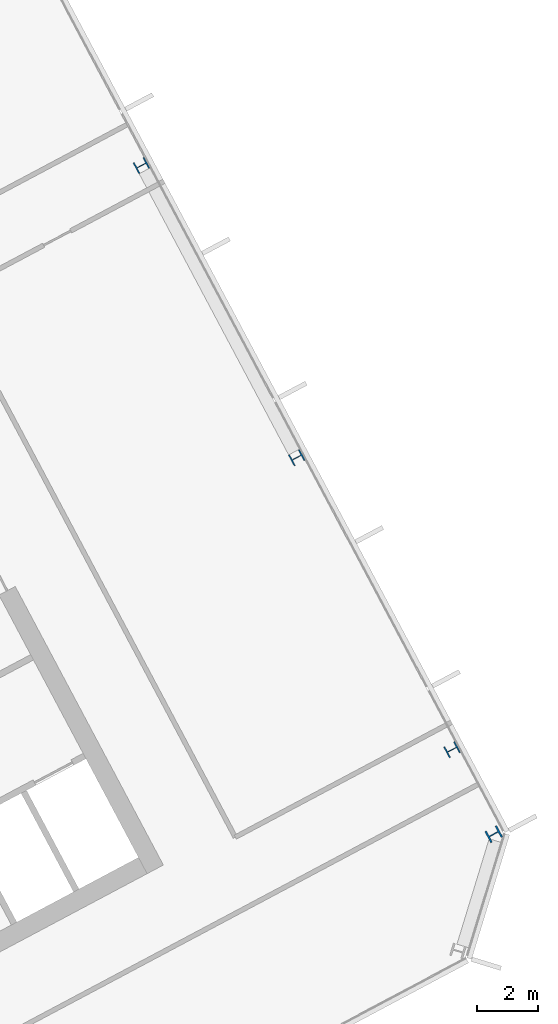
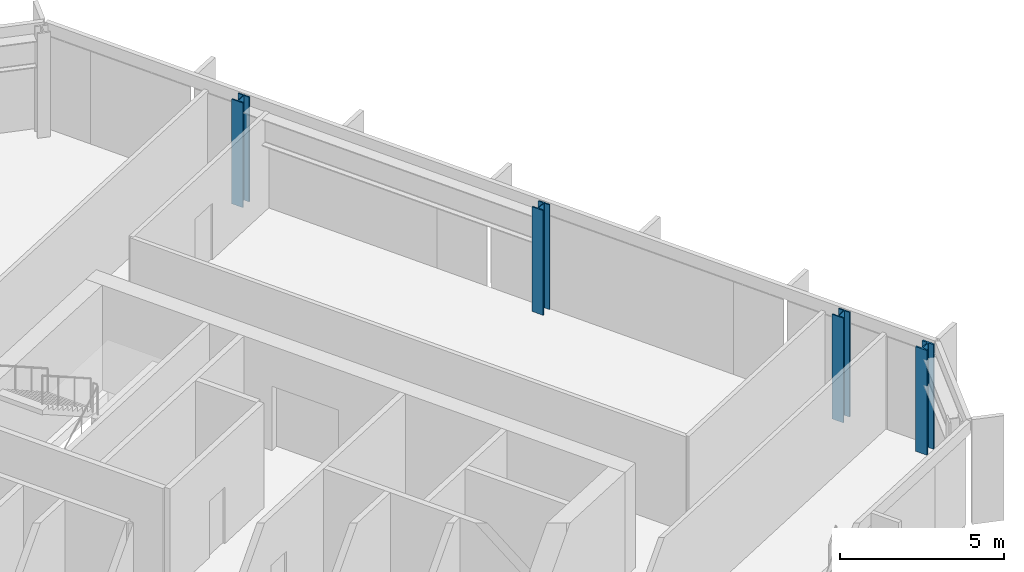
# One storey, part 7 of 27: 4 columns.
"""IFC4 building model written with IfcOpenShell, lengths in metres."""

from ifc_helpers import new_model, si_unit, direction, frame, origin, origin_2d, place, context, subcontext, project, spatial, i_section, extrude, material, material_profile, profile_set, type_object, element, save


model = new_model("IFC4")

# Units and contexts
model_context = context("Model", 3, precision=1e-05, world=origin(), true_north=direction((0.0, 1.0)))
body_context = subcontext(model_context, "Body", "Model", "MODEL_VIEW")
ifc_project = project(units=[si_unit("LENGTHUNIT", "METRE"), si_unit("AREAUNIT", "SQUARE_METRE"), si_unit("VOLUMEUNIT", "CUBIC_METRE"), si_unit("PLANEANGLEUNIT", "RADIAN"), si_unit("MASSUNIT", "GRAM", prefix="KILO")], contexts=[model_context])

# Site, building, storey
site_placement = place(None, origin())
site = spatial("IfcSite", under=ifc_project, at=site_placement, CompositionType="ELEMENT")
building_placement = place(site_placement, origin())
building = spatial("IfcBuilding", under=site, at=building_placement, Name="Cormorant Relay Tower", CompositionType="ELEMENT")
storey_placement = place(building_placement, frame((0.0, 0.0, 232.5)))
storey = spatial("IfcBuildingStorey", under=building, at=storey_placement, Name="L51", CompositionType="ELEMENT", Elevation=232.5)

# Columns
ifc_material_1 = material(Name="Steel ASTM A992 (Fy 345 MPa)", Category="steel")
ifc_material_profile_1 = material_profile(ifc_material_1, i_section(OverallWidth=0.40380859375, OverallDepth=0.406494140625, WebThickness=0.027099609375, FlangeThickness=0.043701171875, FilletRadius=0.01513671875, at=origin_2d()), Name="W360x347")
ifc_profile_set_1 = profile_set([ifc_material_profile_1], Name="Steel ASTM A992 (Fy 345 MPa)")
column_type_1 = type_object("IfcColumnType", Name="Column W360x347", PredefinedType="COLUMN", material=ifc_profile_set_1)
for number, where, z_axis, x_axis, name in (
    (1, (47.26611328125, 12.89990234375, 0.0), (0.0, 0.0, 1.0), (-0.469471562786, 0.882947592859, 0.0), "Column L51-026"),
    (2, (42.196044921875, 22.43603515625, 0.0), (0.0, 0.0, 1.0), (-0.469471562786, 0.882947592859, 0.0), "Column L51-029"),
    (3, (37.1259765625, 31.971923828125, 0.0), (0.0, 0.0, 1.0), (-0.469471562786, 0.882947592859, 0.0), "Column L51-036"),
):
    element("IfcColumn", number, at=place(storey_placement, frame(where, z_axis=z_axis, x_axis=x_axis)), inside=storey, type_object=column_type_1, Name=name, PredefinedType="COLUMN", context=body_context, shape_type="SweptSolid", body=[
        extrude(i_section(OverallWidth=0.40380859375, OverallDepth=0.406494140625, WebThickness=0.027099609375, FlangeThickness=0.043701171875, FilletRadius=0.01513671875, at=origin_2d()), origin(), (0.0, 0.0, 1.0), 3.89990234375),
    ])
ifc_material_2 = material(Name="Steel ASTM A992 (Fy 345 MPa)", Category="steel")
ifc_material_profile_2 = material_profile(ifc_material_2, i_section(OverallWidth=0.41162109375, OverallDepth=0.434326171875, WebThickness=0.035888671875, FlangeThickness=0.057373046875, FilletRadius=0.01513671875, at=origin_2d()), Name="W360x463")
ifc_profile_set_2 = profile_set([ifc_material_profile_2], Name="Steel ASTM A992 (Fy 345 MPa)")
column_type_2 = type_object("IfcColumnType", Name="Column W360x463", PredefinedType="COLUMN", material=ifc_profile_set_2)
column_placement = place(storey_placement, frame((48.6259765625, 10.14208984375, 0.0), z_axis=(0.0, 0.0, 1.0), x_axis=(-0.469471562786, 0.882947592859, 0.0)))
element("IfcColumn", 4, at=column_placement, inside=storey, type_object=column_type_2, Name="Column L51-021", PredefinedType="COLUMN", context=body_context, shape_type="SweptSolid", body=[
    extrude(i_section(OverallWidth=0.41162109375, OverallDepth=0.434326171875, WebThickness=0.035888671875, FlangeThickness=0.057373046875, FilletRadius=0.01513671875, at=origin_2d()), origin(), (0.0, 0.0, 1.0), 3.89990234375),
])

save(model, "model.ifc")
